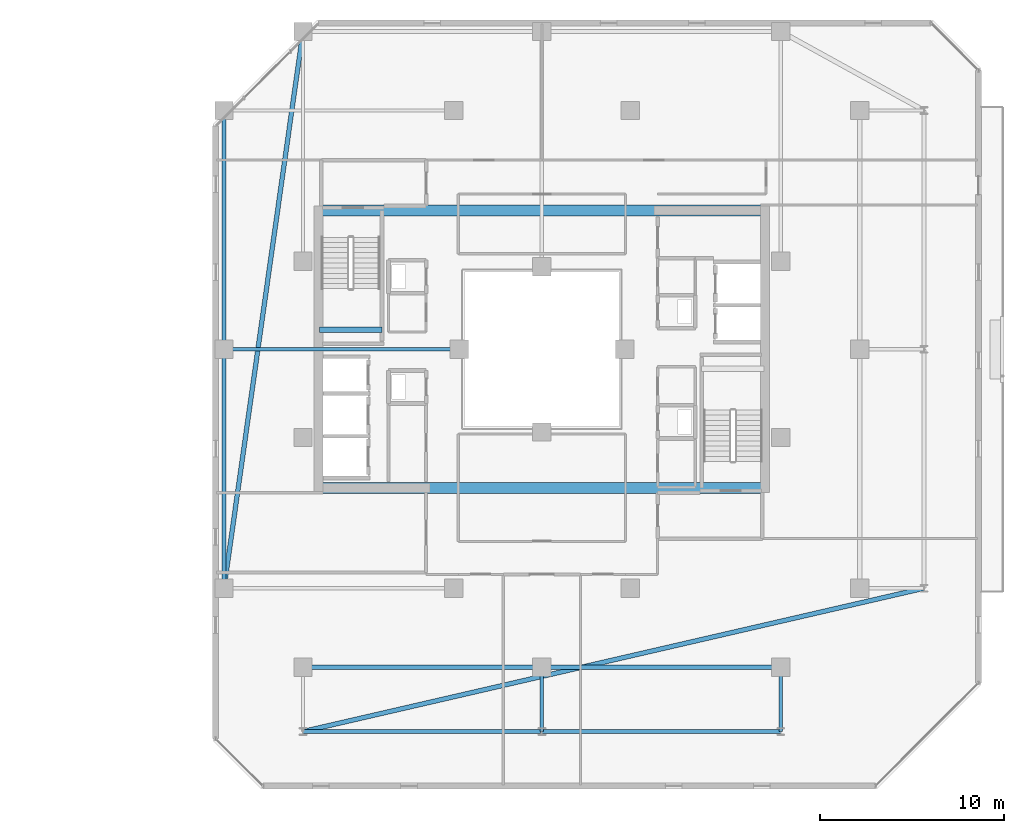
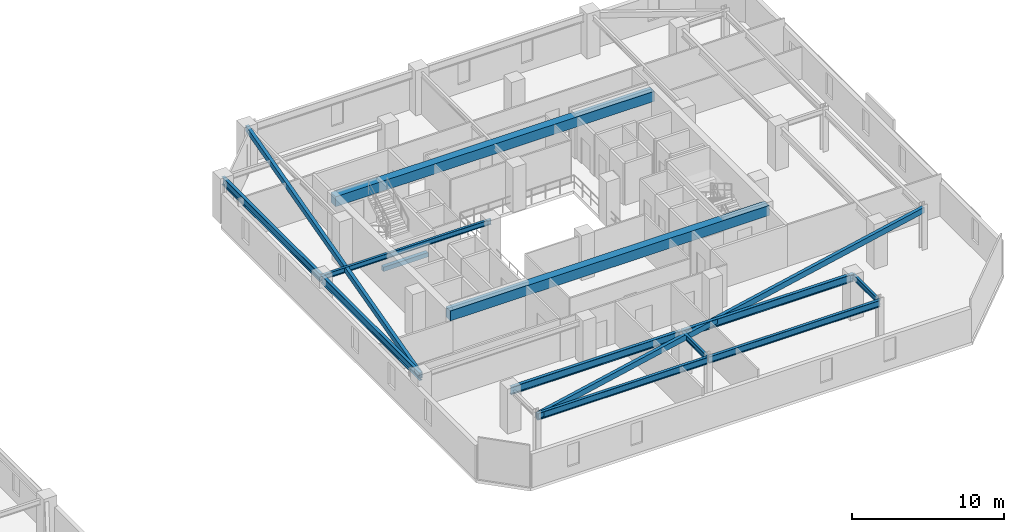
# One storey, part 11 of 31: 14 beams.
"""IFC4 building model written with IfcOpenShell, lengths in metres."""

from ifc_helpers import new_model, si_unit, direction, frame, origin, origin_2d, place, context, subcontext, project, spatial, rectangle, hollow_rectangle, i_section, extrude, material, material_profile, profile_set, type_object, element, save


model = new_model("IFC4")

# Units and contexts
model_context = context("Model", 3, precision=1e-05, world=origin(), true_north=direction((0.0, 1.0)))
body_context = subcontext(model_context, "Body", "Model", "MODEL_VIEW")
ifc_project = project(units=[si_unit("LENGTHUNIT", "METRE"), si_unit("AREAUNIT", "SQUARE_METRE"), si_unit("VOLUMEUNIT", "CUBIC_METRE"), si_unit("PLANEANGLEUNIT", "RADIAN"), si_unit("MASSUNIT", "GRAM", prefix="KILO")], contexts=[model_context])

# Site, building, storey
site_placement = place(None, origin())
site = spatial("IfcSite", under=ifc_project, at=site_placement, CompositionType="ELEMENT")
building_placement = place(site_placement, origin())
building = spatial("IfcBuilding", under=site, at=building_placement, Name="Thornwick Lancets Civic Towers", CompositionType="ELEMENT")
storey_placement = place(building_placement, frame((0.0, 0.0, 236.699951171875)))
storey = spatial("IfcBuildingStorey", under=building, at=storey_placement, Name="L63", CompositionType="ELEMENT", Elevation=236.699951171875)

# Beams
ifc_material_1 = material(Name="Concrete C60/75", Category="concrete")
ifc_material_profile_1 = material_profile(ifc_material_1, rectangle(XDim=0.60009765625, YDim=0.800048828125, at=origin_2d()), Name="RC 600x800")
ifc_profile_set_1 = profile_set([ifc_material_profile_1], Name="Concrete C60/75")
beam_type_1 = type_object("IfcBeamType", Name="BM_COUP_RC800", PredefinedType="BEAM", material=ifc_profile_set_1)
for number, where, z_axis, x_axis, name in (
    (1, (76.39990234375, 34.550048828125, 2.9599609375), (1.0, 0.0, 0.0), (0.0, 1.0, 0.0), "CB-L63-B1"),
    (2, (76.39990234375, 19.449951171875, 2.9599609375), (1.0, 0.0, 0.0), (0.0, 1.0, 0.0), "CB-L63-B2"),
):
    element("IfcBeam", number, at=place(storey_placement, frame(where, z_axis=z_axis, x_axis=x_axis)), inside=storey, type_object=beam_type_1, Name=name, PredefinedType="BEAM", context=body_context, shape_type="SweptSolid", body=[
        extrude(rectangle(XDim=0.60009765625, YDim=0.800048828125, at=origin_2d()), origin(), (0.0, 0.0, 1.0), 24.2001953125),
    ])
ifc_material_2 = material(Name="Steel S355JR", Category="steel")
ifc_material_profile_2 = material_profile(ifc_material_2, i_section(OverallWidth=0.210693359375, OverallDepth=0.53955078125, WebThickness=0.01171875, FlangeThickness=0.018798828125, FilletRadius=0.0126953125, at=origin_2d()), Name="UKB 533x210x109")
ifc_profile_set_2 = profile_set([ifc_material_profile_2], Name="Steel S355JR")
beam_type_2 = type_object("IfcBeamType", Name="BM_EDGE_533_109", PredefinedType="SPANDREL", material=ifc_profile_set_2)
beam_1_placement = place(storey_placement, frame((101.5, 6.199951171875, 3.09033203125), z_axis=(-1.0, 0.0, 0.0), x_axis=(0.0, -1.0, 0.0)))
element("IfcBeam", 3, at=beam_1_placement, inside=storey, type_object=beam_type_2, Name="BM-EDGE-L63-B-S3-1", PredefinedType="SPANDREL", context=body_context, shape_type="SweptSolid", body=[
    extrude(i_section(OverallWidth=0.210693359375, OverallDepth=0.53955078125, WebThickness=0.01171875, FlangeThickness=0.018798828125, FilletRadius=0.0126953125, at=origin_2d()), origin(), (0.0, 0.0, 1.0), 13.0),
])
beam_2_placement = place(storey_placement, frame((88.419921875, 6.199951171875, 3.09033203125), z_axis=(-1.0, 0.0, 0.0), x_axis=(0.0, -1.0, 0.0)))
element("IfcBeam", 4, at=beam_2_placement, inside=storey, type_object=beam_type_2, Name="BM-EDGE-L63-B-S3-2", PredefinedType="SPANDREL", context=body_context, shape_type="SweptSolid", body=[
    extrude(i_section(OverallWidth=0.210693359375, OverallDepth=0.53955078125, WebThickness=0.01171875, FlangeThickness=0.018798828125, FilletRadius=0.0126953125, at=origin_2d()), origin(), (0.0, 0.0, 1.0), 12.919921875),
])
ifc_material_profile_3 = material_profile(ifc_material_2, i_section(OverallWidth=0.230224609375, OverallDepth=0.6171875, WebThickness=0.01318359375, FlangeThickness=0.022216796875, FilletRadius=0.0126953125, at=origin_2d()), Name="UKB 610x229x140")
ifc_profile_set_3 = profile_set([ifc_material_profile_3], Name="Steel S355JR")
beam_type_3 = type_object("IfcBeamType", Name="BM_GIRD_610_140", PredefinedType="BEAM", material=ifc_profile_set_3)
beam_3_placement = place(storey_placement, frame((71.199951171875, 14.0, 3.051513671875), z_axis=(0.0, 1.0, 0.0), x_axis=(-1.0, 0.0, 0.0)))
element("IfcBeam", 5, at=beam_3_placement, inside=storey, type_object=beam_type_3, Name="BM-SPINE-L63-B-6-7", PredefinedType="BEAM", context=body_context, shape_type="SweptSolid", body=[
    extrude(i_section(OverallWidth=0.230224609375, OverallDepth=0.6171875, WebThickness=0.01318359375, FlangeThickness=0.022216796875, FilletRadius=0.0126953125, at=origin_2d()), origin(), (0.0, 0.0, 1.0), 13.0),
])
beam_4_placement = place(storey_placement, frame((71.199951171875, 27.080078125, 3.051513671875), z_axis=(0.0, 1.0, 0.0), x_axis=(-1.0, 0.0, 0.0)))
element("IfcBeam", 6, at=beam_4_placement, inside=storey, type_object=beam_type_3, Name="BM-SPINE-L63-B-7-8", PredefinedType="BEAM", context=body_context, shape_type="SweptSolid", body=[
    extrude(i_section(OverallWidth=0.230224609375, OverallDepth=0.6171875, WebThickness=0.01318359375, FlangeThickness=0.022216796875, FilletRadius=0.0126953125, at=origin_2d()), origin(), (0.0, 0.0, 1.0), 12.919921875),
])
beam_5_placement = place(storey_placement, frame((101.5, 9.699951171875, 3.051513671875), z_axis=(-1.0, 0.0, 0.0), x_axis=(0.0, -1.0, 0.0)))
element("IfcBeam", 7, at=beam_5_placement, inside=storey, type_object=beam_type_3, Name="BM-SPINE-L63-B-9-10", PredefinedType="BEAM", context=body_context, shape_type="SweptSolid", body=[
    extrude(i_section(OverallWidth=0.230224609375, OverallDepth=0.6171875, WebThickness=0.01318359375, FlangeThickness=0.022216796875, FilletRadius=0.0126953125, at=origin_2d()), origin(), (0.0, 0.0, 1.0), 13.0),
])
beam_6_placement = place(storey_placement, frame((88.419921875, 9.699951171875, 3.051513671875), z_axis=(-1.0, 0.0, 0.0), x_axis=(0.0, -1.0, 0.0)))
element("IfcBeam", 8, at=beam_6_placement, inside=storey, type_object=beam_type_3, Name="BM-SPINE-L63-B-10-11", PredefinedType="BEAM", context=body_context, shape_type="SweptSolid", body=[
    extrude(i_section(OverallWidth=0.230224609375, OverallDepth=0.6171875, WebThickness=0.01318359375, FlangeThickness=0.022216796875, FilletRadius=0.0126953125, at=origin_2d()), origin(), (0.0, 0.0, 1.0), 12.919921875),
])
ifc_material_profile_4 = material_profile(ifc_material_2, i_section(OverallWidth=0.179443359375, OverallDepth=0.412841796875, WebThickness=0.009521484375, FlangeThickness=0.01611328125, FilletRadius=0.01025390625, at=origin_2d()), Name="UKB 406x178x74")
ifc_profile_set_4 = profile_set([ifc_material_profile_4], Name="Steel S355JR")
beam_type_4 = type_object("IfcBeamType", Name="BM_JOIST_406_74", PredefinedType="JOIST", material=ifc_profile_set_4)
beam_7_placement = place(storey_placement, frame((84.0, 27.0, 3.153564453125), z_axis=(-1.0, 0.0, 0.0), x_axis=(0.0, -1.0, 0.0)))
element("IfcBeam", 9, at=beam_7_placement, inside=storey, type_object=beam_type_4, Name="BM-RADIN-L63-B08", PredefinedType="JOIST", context=body_context, shape_type="SweptSolid", body=[
    extrude(i_section(OverallWidth=0.179443359375, OverallDepth=0.412841796875, WebThickness=0.009521484375, FlangeThickness=0.01611328125, FilletRadius=0.01025390625, at=origin_2d()), origin(), (0.0, 0.0, 1.0), 12.800048828125),
])
for number, where, z_axis, x_axis, name in (
    (10, (101.5, 9.699951171875, 3.153564453125), (0.0, -1.0, 0.0), (1.0, 0.0, 0.0), "BM-RAD-L63-B10"),
    (11, (88.5, 9.699951171875, 3.153564453125), (0.0, -1.0, 0.0), (1.0, 0.0, 0.0), "BM-RAD-L63-B11"),
):
    element("IfcBeam", number, at=place(storey_placement, frame(where, z_axis=z_axis, x_axis=x_axis)), inside=storey, type_object=beam_type_4, Name=name, PredefinedType="JOIST", context=body_context, shape_type="SweptSolid", body=[
        extrude(i_section(OverallWidth=0.179443359375, OverallDepth=0.412841796875, WebThickness=0.009521484375, FlangeThickness=0.01611328125, FilletRadius=0.01025390625, at=origin_2d()), origin(), (0.0, 0.0, 1.0), 3.5),
    ])
ifc_material_profile_5 = material_profile(ifc_material_2, hollow_rectangle(XDim=0.25, YDim=0.449951171875, WallThickness=0.01611328125, at=origin_2d()), Name="RHS 450x250x16")
ifc_profile_set_5 = profile_set([ifc_material_profile_5], Name="Steel S355JR")
beam_type_5 = type_object("IfcBeamType", Name="BM_RING_RHS450", PredefinedType="BEAM", material=ifc_profile_set_5)
beam_8_placement = place(storey_placement, frame((75.5, 44.300048828125, 3.135009765625), z_axis=(-0.140507712682, -0.990079584012, 0.0), x_axis=(0.990079584012, -0.140507712682, 0.0)))
element("IfcBeam", 12, at=beam_8_placement, inside=storey, type_object=beam_type_5, Name="BM-CHAMF-L63-B-C1", PredefinedType="BEAM", context=body_context, shape_type="SweptSolid", body=[
    extrude(hollow_rectangle(XDim=0.25, YDim=0.449951171875, WallThickness=0.01611328125, at=origin_2d()), origin(), (0.0, 0.0, 1.0), 30.603759765625),
])
beam_9_placement = place(storey_placement, frame((75.5, 6.199951171875, 3.135009765625), z_axis=(0.974390958454, 0.224860534737, 0.0), x_axis=(-0.224860534737, 0.974390958454, 0.0)))
element("IfcBeam", 13, at=beam_9_placement, inside=storey, type_object=beam_type_5, Name="BM-CHAMF-L63-B-C3", PredefinedType="BEAM", context=body_context, shape_type="SweptSolid", body=[
    extrude(hollow_rectangle(XDim=0.25, YDim=0.449951171875, WallThickness=0.01611328125, at=origin_2d()), origin(), (0.0, 0.0, 1.0), 34.6884765625),
])
ifc_material_3 = material(Name="Concrete C40/50", Category="concrete")
ifc_material_profile_6 = material_profile(ifc_material_3, rectangle(XDim=0.300048828125, YDim=0.35009765625, at=origin_2d()), Name="RC 300x350")
ifc_profile_set_6 = profile_set([ifc_material_profile_6], Name="Concrete C40/50")
beam_type_6 = type_object("IfcBeamType", Name="BM_STAIR_LDG", PredefinedType="BEAM", material=ifc_profile_set_6)
beam_10_placement = place(storey_placement, frame((76.39990234375, 28.06494140625, 1.3779296875), z_axis=(1.0, 0.0, 0.0), x_axis=(0.0, 1.0, 0.0)))
element("IfcBeam", 14, at=beam_10_placement, inside=storey, type_object=beam_type_6, Name="L63 ST-B2 Landing Support Beam 1", PredefinedType="BEAM", context=body_context, shape_type="SweptSolid", body=[
    extrude(rectangle(XDim=0.300048828125, YDim=0.35009765625, at=origin_2d()), origin(), (0.0, 0.0, 1.0), 3.400146484375),
])

save(model, "model.ifc")
